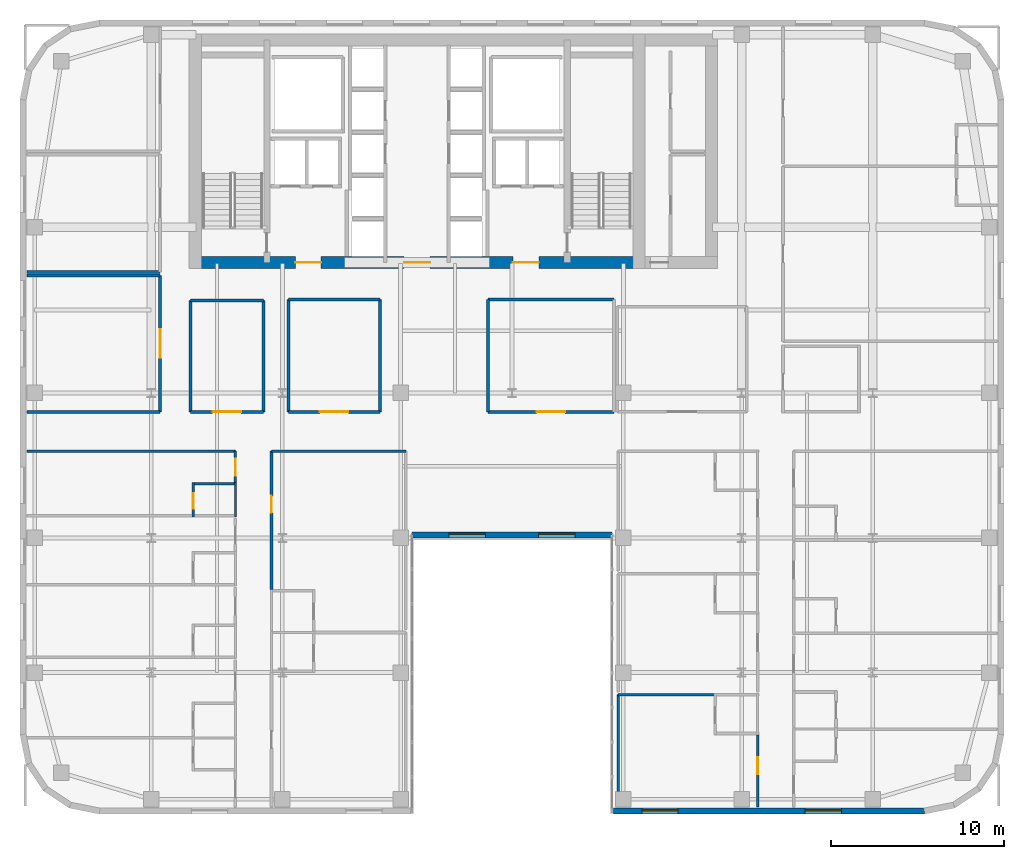
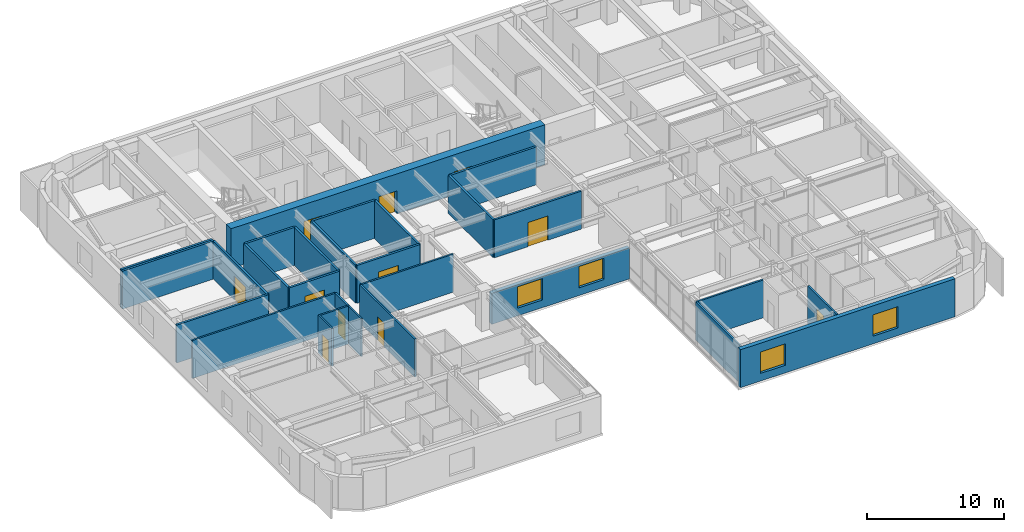
# One storey, part 11 of 17: 28 walls, 11 doors, 4 windows, 15 openings.
"""IFC4 building model written with IfcOpenShell, lengths in metres."""

from ifc_helpers import new_model, si_unit, direction, frame, frame_2d, origin, place, context, subcontext, project, spatial, rectangle, extrude, source, transform, mapped, material, layer, layer_set, type_object, type_shapes, element, fill, save


model = new_model("IFC4")

# Units and contexts
model_context = context("Model", 3, precision=1e-05, world=origin(), true_north=direction((0.0, 1.0)))
body_context = subcontext(model_context, "Body", "Model", "MODEL_VIEW")
ifc_project = project(units=[si_unit("LENGTHUNIT", "METRE"), si_unit("AREAUNIT", "SQUARE_METRE"), si_unit("VOLUMEUNIT", "CUBIC_METRE"), si_unit("PLANEANGLEUNIT", "RADIAN"), si_unit("MASSUNIT", "GRAM", prefix="KILO")], contexts=[model_context])

# Site, building, storey
site_placement = place(None, origin())
site = spatial("IfcSite", under=ifc_project, at=site_placement, CompositionType="ELEMENT")
building_placement = place(site_placement, origin())
building = spatial("IfcBuilding", under=site, at=building_placement, Name="Tolvann Quenvar Hotel", CompositionType="ELEMENT")
storey_placement = place(building_placement, frame((0.0, 0.0, 108.0)))
storey = spatial("IfcBuildingStorey", under=building, at=storey_placement, Name="L27", CompositionType="ELEMENT", Elevation=108.0)

# Wall, openings, doors
ifc_material_1 = material(Name="Concrete S65 (65 MPa)", Category="concrete")
ifc_layer_1 = layer(ifc_material_1, 0.699951171875)
ifc_layer_set_1 = layer_set([ifc_layer_1], Name="Concrete S65 (65 MPa)")
wall_type_1 = type_object("IfcWallType", Name="WALL_CORE_700", PredefinedType="SHEAR", material=ifc_layer_set_1)
wall_1_placement = place(storey_placement, frame((9.800048828125, 31.949951171875, 0.0), z_axis=(0.0, 0.0, 1.0), x_axis=(1.0, 0.0, 0.0)))
wall_1 = element("IfcWall", 1, at=wall_1_placement, inside=storey, type_object=wall_type_1, Name="Rear Core S Shear Wall (L27)", PredefinedType="SHEAR", context=body_context, shape_type="SweptSolid", body=[
    extrude(rectangle(XDim=26.39990234375, YDim=0.699951171875, at=frame_2d((13.199951171875, 0.0))), origin(), (0.0, 0.0, 1.0), 3.550048828125),
])
opening_1_placement = place(wall_1_placement, frame((7.64990234375, 0.0, 0.0), z_axis=(0.0, 0.0, 1.0), x_axis=(-1.0, 0.0, 0.0)))
opening_1 = element("IfcOpeningElement", 2, at=opening_1_placement, cuts=wall_1, Name="Opening FD-60D", PredefinedType="OPENING", context=body_context, shape_type="SweptSolid", body=[
    extrude(rectangle(XDim=1.5, YDim=2.0400390625, at=frame_2d((0.75, 1.02001953125))), frame((0.0, 0.35986328125, 0.0), z_axis=(0.0, -1.0, 0.0), x_axis=(1.0, 0.0, 0.0)), (0.0, 0.0, 1.0), 0.719970703125),
])
opening_2_placement = place(wall_1_placement, frame((13.949951171875, 0.0, 0.0), z_axis=(0.0, 0.0, 1.0), x_axis=(-1.0, 0.0, 0.0)))
opening_2 = element("IfcOpeningElement", 3, at=opening_2_placement, cuts=wall_1, Name="Opening FD-60D", PredefinedType="OPENING", context=body_context, shape_type="SweptSolid", body=[
    extrude(rectangle(XDim=1.5, YDim=2.0400390625, at=frame_2d((0.75, 1.02001953125))), frame((0.0, 0.35986328125, 0.0), z_axis=(0.0, -1.0, 0.0), x_axis=(1.0, 0.0, 0.0)), (0.0, 0.0, 1.0), 0.719970703125),
])
opening_3_placement = place(wall_1_placement, frame((20.25, 0.0, 0.0), z_axis=(0.0, 0.0, 1.0), x_axis=(-1.0, 0.0, 0.0)))
opening_3 = element("IfcOpeningElement", 4, at=opening_3_placement, cuts=wall_1, Name="Opening FD-60D", PredefinedType="OPENING", context=body_context, shape_type="SweptSolid", body=[
    extrude(rectangle(XDim=1.5, YDim=2.0400390625, at=frame_2d((0.75, 1.02001953125))), frame((0.0, 0.35986328125, 0.0), z_axis=(0.0, -1.0, 0.0), x_axis=(1.0, 0.0, 0.0)), (0.0, 0.0, 1.0), 0.719970703125),
])
ifc_material_2 = material(Name="Solid-core American oak acoustic fire door leaf in steel frame", Category="steel")
door_type_1 = type_object("IfcDoorType", Name="DOOR_FIRE_LOBBY_1500", OperationType="NOTDEFINED", PredefinedType="DOOR", material=ifc_material_2)
shared_shape_1 = source(origin(), body_context, "Body", "SweptSolid", [
    extrude(rectangle(XDim=1.5, YDim=2.0400390625, at=frame_2d((0.75, 1.02001953125))), frame((0.0, 0.02490234375, 0.0), z_axis=(0.0, -1.0, 0.0), x_axis=(1.0, 0.0, 0.0)), (0.0, 0.0, 1.0), 0.050048828125),
])
type_shapes(door_type_1, [shared_shape_1])
door_1_placement = place(opening_1_placement, origin())
door_1 = element("IfcDoor", 5, at=door_1_placement, inside=storey, type_object=door_type_1, Name="Core Lobby Fire Door FFW (L27)", OperationType="DOUBLE_DOOR_SINGLE_SWING", OverallHeight=2.0400390625, OverallWidth=1.5, PredefinedType="DOOR", context=body_context, shape_type="MappedRepresentation", body=[
    mapped(shared_shape_1, transform((0.0, 0.0, 0.0), x_axis=(1.0, 0.0, 0.0), y_axis=(0.0, 1.0, 0.0), z_axis=(0.0, 0.0, 1.0), scale=1.0)),
])
fill(opening_1, door_1)
door_2_placement = place(opening_2_placement, origin())
door_2 = element("IfcDoor", 6, at=door_2_placement, inside=storey, type_object=door_type_1, Name="Core Lobby Fire Door CLOB (L27)", OperationType="DOUBLE_DOOR_SINGLE_SWING", OverallHeight=2.0400390625, OverallWidth=1.5, PredefinedType="DOOR", context=body_context, shape_type="MappedRepresentation", body=[
    mapped(shared_shape_1, transform((0.0, 0.0, 0.0), x_axis=(1.0, 0.0, 0.0), y_axis=(0.0, 1.0, 0.0), z_axis=(0.0, 0.0, 1.0), scale=1.0)),
])
fill(opening_2, door_2)
door_3_placement = place(opening_3_placement, origin())
door_3 = element("IfcDoor", 7, at=door_3_placement, inside=storey, type_object=door_type_1, Name="Core Lobby Fire Door FFE (L27)", OperationType="DOUBLE_DOOR_SINGLE_SWING", OverallHeight=2.0400390625, OverallWidth=1.5, PredefinedType="DOOR", context=body_context, shape_type="MappedRepresentation", body=[
    mapped(shared_shape_1, transform((0.0, 0.0, 0.0), x_axis=(1.0, 0.0, 0.0), y_axis=(0.0, 1.0, 0.0), z_axis=(0.0, 0.0, 1.0), scale=1.0)),
])
fill(opening_3, door_3)

# Wall, openings, windows
ifc_material_3 = material(Name="Kiln-fired red and buff architectural clay brickwork and terracotta masonry", Category="masonry")
ifc_layer_2 = layer(ifc_material_3, 0.35009765625)
ifc_layer_set_2 = layer_set([ifc_layer_2], Name="Kiln-fired red and buff architectural clay brickwork and terracotta masonry")
wall_type_2 = type_object("IfcWallType", Name="WALL_EXT_BRICK_350", PredefinedType="SOLIDWALL", material=ifc_layer_set_2)
wall_2_placement = place(storey_placement, frame((22.7099609375, 16.175048828125, 0.0), z_axis=(0.0, 0.0, 1.0), x_axis=(1.0, 0.0, 0.0)))
wall_2 = element("IfcWall", 8, at=wall_2_placement, inside=storey, type_object=wall_type_2, Name="Exterior Chicago Brick Wall L27-E06", PredefinedType="SOLIDWALL", context=body_context, shape_type="SweptSolid", body=[
    extrude(rectangle(XDim=11.580078125, YDim=0.35009765625, at=frame_2d((5.7900390625, 0.0))), origin(), (0.0, 0.0, 1.0), 2.748046875),
])
opening_4_placement = place(wall_2_placement, frame((2.14501953125, 0.0, 0.679931640625)))
opening_4 = element("IfcOpeningElement", 9, at=opening_4_placement, cuts=wall_2, Name="Opening W-02", PredefinedType="OPENING", context=body_context, shape_type="SweptSolid", body=[
    extrude(rectangle(XDim=2.10009765625, YDim=1.89990234375, at=frame_2d((1.050048828125, 0.949951171875))), frame((0.0, 0.18505859375, 0.0), z_axis=(0.0, -1.0, 0.0), x_axis=(1.0, 0.0, 0.0)), (0.0, 0.0, 1.0), 0.3701171875),
])
opening_5_placement = place(wall_2_placement, frame((7.3349609375, 0.0, 0.679931640625)))
opening_5 = element("IfcOpeningElement", 10, at=opening_5_placement, cuts=wall_2, Name="Opening W-02", PredefinedType="OPENING", context=body_context, shape_type="SweptSolid", body=[
    extrude(rectangle(XDim=2.10009765625, YDim=1.89990234375, at=frame_2d((1.050048828125, 0.949951171875))), frame((0.0, 0.18505859375, 0.0), z_axis=(0.0, -1.0, 0.0), x_axis=(1.0, 0.0, 0.0)), (0.0, 0.0, 1.0), 0.3701171875),
])
ifc_material_4 = material(Name="Thermally broken bronze-anodised aluminium frame with double low-E glazing", Category="aluminium")
window_type = type_object("IfcWindowType", Name="WIN_CHI_2100x2050", PartitioningType="TRIPLE_PANEL_HORIZONTAL", PredefinedType="WINDOW", material=ifc_material_4)
shared_shape_2 = source(origin(), body_context, "Body", "SweptSolid", [
    extrude(rectangle(XDim=2.10009765625, YDim=1.89990234375, at=frame_2d((1.050048828125, 0.949951171875))), frame((0.0, 0.090087890625, 0.0), z_axis=(0.0, -1.0, 0.0), x_axis=(1.0, 0.0, 0.0)), (0.0, 0.0, 1.0), 0.06005859375),
])
type_shapes(window_type, [shared_shape_2])
window_1_placement = place(opening_4_placement, origin())
window_1 = element("IfcWindow", 11, at=window_1_placement, inside=storey, type_object=window_type, Name="Chicago Window W-02 (EW-L27-E06-W01)", OverallHeight=1.89990234375, OverallWidth=2.10009765625, PartitioningType="TRIPLE_PANEL_HORIZONTAL", PredefinedType="WINDOW", context=body_context, shape_type="MappedRepresentation", body=[
    mapped(shared_shape_2, transform((0.0, 0.0, 0.0), x_axis=(1.0, 0.0, 0.0), y_axis=(0.0, 1.0, 0.0), z_axis=(0.0, 0.0, 1.0), scale=1.0)),
])
fill(opening_4, window_1)
window_2_placement = place(opening_5_placement, origin())
window_2 = element("IfcWindow", 12, at=window_2_placement, inside=storey, type_object=window_type, Name="Chicago Window W-02 (EW-L27-E06-W02)", OverallHeight=1.89990234375, OverallWidth=2.10009765625, PartitioningType="TRIPLE_PANEL_HORIZONTAL", PredefinedType="WINDOW", context=body_context, shape_type="MappedRepresentation", body=[
    mapped(shared_shape_2, transform((0.0, 0.0, 0.0), x_axis=(1.0, 0.0, 0.0), y_axis=(0.0, 1.0, 0.0), z_axis=(0.0, 0.0, 1.0), scale=1.0)),
])
fill(opening_5, window_2)

wall_3_placement = place(storey_placement, frame((34.375, 0.175048828125, 0.0), z_axis=(0.0, 0.0, 1.0), x_axis=(1.0, 0.0, 0.0)))
wall_3 = element("IfcWall", 13, at=wall_3_placement, inside=storey, type_object=wall_type_2, Name="Exterior Chicago Brick Wall L27-E08", PredefinedType="SOLIDWALL", context=body_context, shape_type="SweptSolid", body=[
    extrude(rectangle(XDim=18.0078125, YDim=0.35009765625, at=frame_2d((9.00390625, 0.0))), origin(), (0.0, 0.0, 1.0), 3.3701171875),
])
opening_6_placement = place(wall_3_placement, frame((1.65087890625, 0.0, 0.679931640625)))
opening_6 = element("IfcOpeningElement", 14, at=opening_6_placement, cuts=wall_3, Name="Opening W-02", PredefinedType="OPENING", context=body_context, shape_type="SweptSolid", body=[
    extrude(rectangle(XDim=2.10009765625, YDim=1.89990234375, at=frame_2d((1.050048828125, 0.949951171875))), frame((0.0, 0.18505859375, 0.0), z_axis=(0.0, -1.0, 0.0), x_axis=(1.0, 0.0, 0.0)), (0.0, 0.0, 1.0), 0.3701171875),
])
opening_7_placement = place(wall_3_placement, frame((11.10498046875, 0.0, 0.679931640625)))
opening_7 = element("IfcOpeningElement", 15, at=opening_7_placement, cuts=wall_3, Name="Opening W-02", PredefinedType="OPENING", context=body_context, shape_type="SweptSolid", body=[
    extrude(rectangle(XDim=2.10009765625, YDim=1.89990234375, at=frame_2d((1.050048828125, 0.949951171875))), frame((0.0, 0.18505859375, 0.0), z_axis=(0.0, -1.0, 0.0), x_axis=(1.0, 0.0, 0.0)), (0.0, 0.0, 1.0), 0.3701171875),
])
window_3_placement = place(opening_6_placement, origin())
window_3 = element("IfcWindow", 16, at=window_3_placement, inside=storey, type_object=window_type, Name="Chicago Window W-02 (EW-L27-E08-W01)", OverallHeight=1.89990234375, OverallWidth=2.10009765625, PartitioningType="TRIPLE_PANEL_HORIZONTAL", PredefinedType="WINDOW", context=body_context, shape_type="MappedRepresentation", body=[
    mapped(shared_shape_2, transform((0.0, 0.0, 0.0), x_axis=(1.0, 0.0, 0.0), y_axis=(0.0, 1.0, 0.0), z_axis=(0.0, 0.0, 1.0), scale=1.0)),
])
fill(opening_6, window_3)
window_4_placement = place(opening_7_placement, origin())
window_4 = element("IfcWindow", 17, at=window_4_placement, inside=storey, type_object=window_type, Name="Chicago Window W-02 (EW-L27-E08-W02)", OverallHeight=1.89990234375, OverallWidth=2.10009765625, PartitioningType="TRIPLE_PANEL_HORIZONTAL", PredefinedType="WINDOW", context=body_context, shape_type="MappedRepresentation", body=[
    mapped(shared_shape_2, transform((0.0, 0.0, 0.0), x_axis=(1.0, 0.0, 0.0), y_axis=(0.0, 1.0, 0.0), z_axis=(0.0, 0.0, 1.0), scale=1.0)),
])
fill(opening_7, window_4)

# Walls
ifc_material_5 = material(Name="Acoustic twin-stud fire-rated gypsum plasterboard partition")
ifc_layer_3 = layer(ifc_material_5, 0.179931640625)
ifc_layer_set_3 = layer_set([ifc_layer_3], Name="Acoustic twin-stud fire-rated gypsum plasterboard partition")
wall_type_3 = type_object("IfcWallType", Name="WALL_PART_ACOUSTIC_180", PredefinedType="PARTITIONING", material=ifc_layer_set_3)
for number, where, z_axis, x_axis, name in (
    (18, (0.405029296875, 23.300048828125, 0.0), (0.0, 0.0, 1.0), (1.0, 0.0, 0.0), "Interior Partition PT-SPC-L27-SAL-S"),
    (19, (0.405029296875, 31.199951171875, 0.0), (0.0, 0.0, 1.0), (1.0, 0.0, 0.0), "Interior Partition PT-SPC-L27-SAL-N"),
):
    element("IfcWall", number, at=place(storey_placement, frame(where, z_axis=z_axis, x_axis=x_axis)), inside=storey, type_object=wall_type_3, Name=name, PredefinedType="PARTITIONING", context=body_context, shape_type="SweptSolid", body=[
        extrude(rectangle(XDim=7.715087890625, YDim=0.179931640625, at=frame_2d((3.857421875, 0.0))), origin(), (0.0, 0.0, 1.0), 3.3701171875),
    ])

# Wall, opening, door
wall_4_placement = place(storey_placement, frame((8.1201171875, 23.300048828125, 0.0), z_axis=(0.0, 0.0, 1.0), x_axis=(0.0, 1.0, 0.0)))
wall_4 = element("IfcWall", 20, at=wall_4_placement, inside=storey, type_object=wall_type_3, Name="Interior Partition PT-SPC-L27-SAL-E", PredefinedType="PARTITIONING", context=body_context, shape_type="SweptSolid", body=[
    extrude(rectangle(XDim=7.89990234375, YDim=0.179931640625, at=frame_2d((3.949951171875, 0.0))), origin(), (0.0, 0.0, 1.0), 3.3701171875),
])
opening_8_placement = place(wall_4_placement, frame((3.125, 0.0, 0.0)))
opening_8 = element("IfcOpeningElement", 21, at=opening_8_placement, cuts=wall_4, Name="Opening AD-01", PredefinedType="OPENING", context=body_context, shape_type="SweptSolid", body=[
    extrude(rectangle(XDim=1.64990234375, YDim=2.14990234375, at=frame_2d((0.824951171875, 1.074951171875))), frame((0.0, 0.10009765625, 0.0), z_axis=(0.0, -1.0, 0.0), x_axis=(1.0, 0.0, 0.0)), (0.0, 0.0, 1.0), 0.199951171875),
])
door_type_2 = type_object("IfcDoorType", Name="DOOR_SALON_1650", OperationType="NOTDEFINED", PredefinedType="DOOR", material=ifc_material_2)
shared_shape_3 = source(origin(), body_context, "Body", "SweptSolid", [
    extrude(rectangle(XDim=1.64990234375, YDim=2.14990234375, at=frame_2d((0.824951171875, 1.074951171875))), frame((0.0, 0.02490234375, 0.0), z_axis=(0.0, -1.0, 0.0), x_axis=(1.0, 0.0, 0.0)), (0.0, 0.0, 1.0), 0.050048828125),
])
type_shapes(door_type_2, [shared_shape_3])
door_4_placement = place(opening_8_placement, origin())
door_4 = element("IfcDoor", 22, at=door_4_placement, inside=storey, type_object=door_type_2, Name="Interior Door DOOR-SPC-L27-SAL", OperationType="DOUBLE_DOOR_SINGLE_SWING", OverallHeight=2.14990234375, OverallWidth=1.64990234375, PredefinedType="DOOR", context=body_context, shape_type="MappedRepresentation", body=[
    mapped(shared_shape_3, transform((0.0, 0.0, 0.0), x_axis=(1.0, 0.0, 0.0), y_axis=(0.0, 1.0, 0.0), z_axis=(0.0, 0.0, 1.0), scale=1.0)),
])
fill(opening_8, door_4)

# Wall
wall_5_placement = place(storey_placement, frame((0.405029296875, 31.39990234375, 0.0), z_axis=(0.0, 0.0, 1.0), x_axis=(1.0, 0.0, 0.0)))
element("IfcWall", 23, at=wall_5_placement, inside=storey, type_object=wall_type_3, Name="Interior Partition PT-SPC-L27-MTG-S", PredefinedType="PARTITIONING", context=body_context, shape_type="SweptSolid", body=[
    extrude(rectangle(XDim=7.715087890625, YDim=0.179931640625, at=frame_2d((3.857421875, 0.0))), origin(), (0.0, 0.0, 1.0), 3.3701171875),
])

# Wall, opening, door
wall_6_placement = place(storey_placement, frame((9.8798828125, 23.300048828125, 0.0), z_axis=(0.0, 0.0, 1.0), x_axis=(1.0, 0.0, 0.0)))
wall_6 = element("IfcWall", 24, at=wall_6_placement, inside=storey, type_object=wall_type_3, Name="Interior Partition PT-SPC-L27-MSP-W-S", PredefinedType="PARTITIONING", context=body_context, shape_type="SweptSolid", body=[
    extrude(rectangle(XDim=4.22021484375, YDim=0.179931640625, at=frame_2d((2.110107421875, 0.0))), origin(), (0.0, 0.0, 1.0), 3.3701171875),
])
opening_9_placement = place(wall_6_placement, frame((1.284912109375, 0.0, 0.0)))
opening_9 = element("IfcOpeningElement", 25, at=opening_9_placement, cuts=wall_6, Name="Opening AD-01", PredefinedType="OPENING", context=body_context, shape_type="SweptSolid", body=[
    extrude(rectangle(XDim=1.64990234375, YDim=2.14990234375, at=frame_2d((0.824951171875, 1.074951171875))), frame((0.0, 0.10009765625, 0.0), z_axis=(0.0, -1.0, 0.0), x_axis=(1.0, 0.0, 0.0)), (0.0, 0.0, 1.0), 0.199951171875),
])
door_5_placement = place(opening_9_placement, origin())
door_5 = element("IfcDoor", 26, at=door_5_placement, inside=storey, type_object=door_type_2, Name="Interior Door DOOR-SPC-L27-MSP-W", OperationType="DOUBLE_DOOR_SINGLE_SWING", OverallHeight=2.14990234375, OverallWidth=1.64990234375, PredefinedType="DOOR", context=body_context, shape_type="MappedRepresentation", body=[
    mapped(shared_shape_3, transform((0.0, 0.0, 0.0), x_axis=(1.0, 0.0, 0.0), y_axis=(0.0, 1.0, 0.0), z_axis=(0.0, 0.0, 1.0), scale=1.0)),
])
fill(opening_9, door_5)

# Walls
wall_7_placement = place(storey_placement, frame((9.8798828125, 29.75, 0.0), z_axis=(0.0, 0.0, 1.0), x_axis=(1.0, 0.0, 0.0)))
element("IfcWall", 27, at=wall_7_placement, inside=storey, type_object=wall_type_3, Name="Interior Partition PT-SPC-L27-MSP-W-N", PredefinedType="PARTITIONING", context=body_context, shape_type="SweptSolid", body=[
    extrude(rectangle(XDim=4.22021484375, YDim=0.179931640625, at=frame_2d((2.110107421875, 0.0))), origin(), (0.0, 0.0, 1.0), 3.3701171875),
])
for number, where, z_axis, x_axis, name in (
    (28, (9.8798828125, 23.300048828125, 0.0), (0.0, 0.0, 1.0), (0.0, 1.0, 0.0), "Interior Partition PT-SPC-L27-MSP-W-W"),
    (29, (14.10009765625, 23.300048828125, 0.0), (0.0, 0.0, 1.0), (0.0, 1.0, 0.0), "Interior Partition PT-SPC-L27-MSP-W-E"),
):
    element("IfcWall", number, at=place(storey_placement, frame(where, z_axis=z_axis, x_axis=x_axis)), inside=storey, type_object=wall_type_3, Name=name, PredefinedType="PARTITIONING", context=body_context, shape_type="SweptSolid", body=[
        extrude(rectangle(XDim=6.449951171875, YDim=0.179931640625, at=frame_2d((3.22509765625, 0.0))), origin(), (0.0, 0.0, 1.0), 3.3701171875),
    ])

# Wall, opening, door
wall_8_placement = place(storey_placement, frame((27.10009765625, 23.300048828125, 0.0), z_axis=(0.0, 0.0, 1.0), x_axis=(1.0, 0.0, 0.0)))
wall_8 = element("IfcWall", 30, at=wall_8_placement, inside=storey, type_object=wall_type_3, Name="Interior Partition PT-SPC-L27-MSP-C-S", PredefinedType="PARTITIONING", context=body_context, shape_type="SweptSolid", body=[
    extrude(rectangle(XDim=7.2998046875, YDim=0.179931640625, at=frame_2d((3.64990234375, 0.0))), origin(), (0.0, 0.0, 1.0), 3.3701171875),
])
opening_10_placement = place(wall_8_placement, frame((2.824951171875, 0.0, 0.0)))
opening_10 = element("IfcOpeningElement", 31, at=opening_10_placement, cuts=wall_8, Name="Opening AD-01", PredefinedType="OPENING", context=body_context, shape_type="SweptSolid", body=[
    extrude(rectangle(XDim=1.64990234375, YDim=2.14990234375, at=frame_2d((0.824951171875, 1.074951171875))), frame((0.0, 0.10009765625, 0.0), z_axis=(0.0, -1.0, 0.0), x_axis=(1.0, 0.0, 0.0)), (0.0, 0.0, 1.0), 0.199951171875),
])
door_6_placement = place(opening_10_placement, origin())
door_6 = element("IfcDoor", 32, at=door_6_placement, inside=storey, type_object=door_type_2, Name="Interior Door DOOR-SPC-L27-MSP-C", OperationType="DOUBLE_DOOR_SINGLE_SWING", OverallHeight=2.14990234375, OverallWidth=1.64990234375, PredefinedType="DOOR", context=body_context, shape_type="MappedRepresentation", body=[
    mapped(shared_shape_3, transform((0.0, 0.0, 0.0), x_axis=(1.0, 0.0, 0.0), y_axis=(0.0, 1.0, 0.0), z_axis=(0.0, 0.0, 1.0), scale=1.0)),
])
fill(opening_10, door_6)

# Walls
wall_9_placement = place(storey_placement, frame((27.10009765625, 29.800048828125, 0.0), z_axis=(0.0, 0.0, 1.0), x_axis=(1.0, 0.0, 0.0)))
element("IfcWall", 33, at=wall_9_placement, inside=storey, type_object=wall_type_3, Name="Interior Partition PT-SPC-L27-MSP-C-N", PredefinedType="PARTITIONING", context=body_context, shape_type="SweptSolid", body=[
    extrude(rectangle(XDim=7.2998046875, YDim=0.179931640625, at=frame_2d((3.64990234375, 0.0))), origin(), (0.0, 0.0, 1.0), 3.3701171875),
])
wall_10_placement = place(storey_placement, frame((27.10009765625, 23.300048828125, 0.0), z_axis=(0.0, 0.0, 1.0), x_axis=(0.0, 1.0, 0.0)))
element("IfcWall", 34, at=wall_10_placement, inside=storey, type_object=wall_type_3, Name="Interior Partition PT-SPC-L27-MSP-C-W", PredefinedType="PARTITIONING", context=body_context, shape_type="SweptSolid", body=[
    extrude(rectangle(XDim=6.5, YDim=0.179931640625, at=frame_2d((3.25, 0.0))), origin(), (0.0, 0.0, 1.0), 3.3701171875),
])

# Wall, opening, door
wall_11_placement = place(storey_placement, frame((15.550048828125, 23.300048828125, 0.0), z_axis=(0.0, 0.0, 1.0), x_axis=(1.0, 0.0, 0.0)))
wall_11 = element("IfcWall", 35, at=wall_11_placement, inside=storey, type_object=wall_type_3, Name="Interior Partition PT-SPC-L27-MSP-N-S", PredefinedType="PARTITIONING", context=body_context, shape_type="SweptSolid", body=[
    extrude(rectangle(XDim=5.300048828125, YDim=0.179931640625, at=frame_2d((2.64990234375, 0.0))), origin(), (0.0, 0.0, 1.0), 3.3701171875),
])
opening_11_placement = place(wall_11_placement, frame((1.824951171875, 0.0, 0.0)))
opening_11 = element("IfcOpeningElement", 36, at=opening_11_placement, cuts=wall_11, Name="Opening AD-01", PredefinedType="OPENING", context=body_context, shape_type="SweptSolid", body=[
    extrude(rectangle(XDim=1.64990234375, YDim=2.14990234375, at=frame_2d((0.824951171875, 1.074951171875))), frame((0.0, 0.10009765625, 0.0), z_axis=(0.0, -1.0, 0.0), x_axis=(1.0, 0.0, 0.0)), (0.0, 0.0, 1.0), 0.199951171875),
])
door_7_placement = place(opening_11_placement, origin())
door_7 = element("IfcDoor", 37, at=door_7_placement, inside=storey, type_object=door_type_2, Name="Interior Door DOOR-SPC-L27-MSP-N", OperationType="DOUBLE_DOOR_SINGLE_SWING", OverallHeight=2.14990234375, OverallWidth=1.64990234375, PredefinedType="DOOR", context=body_context, shape_type="MappedRepresentation", body=[
    mapped(shared_shape_3, transform((0.0, 0.0, 0.0), x_axis=(1.0, 0.0, 0.0), y_axis=(0.0, 1.0, 0.0), z_axis=(0.0, 0.0, 1.0), scale=1.0)),
])
fill(opening_11, door_7)

# Walls
wall_12_placement = place(storey_placement, frame((15.550048828125, 29.800048828125, 0.0), z_axis=(0.0, 0.0, 1.0), x_axis=(1.0, 0.0, 0.0)))
element("IfcWall", 38, at=wall_12_placement, inside=storey, type_object=wall_type_3, Name="Interior Partition PT-SPC-L27-MSP-N-N", PredefinedType="PARTITIONING", context=body_context, shape_type="SweptSolid", body=[
    extrude(rectangle(XDim=5.300048828125, YDim=0.179931640625, at=frame_2d((2.64990234375, 0.0))), origin(), (0.0, 0.0, 1.0), 3.3701171875),
])
for number, where, z_axis, x_axis, name in (
    (39, (15.550048828125, 23.300048828125, 0.0), (0.0, 0.0, 1.0), (0.0, 1.0, 0.0), "Interior Partition PT-SPC-L27-MSP-N-W"),
    (40, (20.85009765625, 23.300048828125, 0.0), (0.0, 0.0, 1.0), (0.0, 1.0, 0.0), "Interior Partition PT-SPC-L27-MSP-N-E"),
):
    element("IfcWall", number, at=place(storey_placement, frame(where, z_axis=z_axis, x_axis=x_axis)), inside=storey, type_object=wall_type_3, Name=name, PredefinedType="PARTITIONING", context=body_context, shape_type="SweptSolid", body=[
        extrude(rectangle(XDim=6.5, YDim=0.179931640625, at=frame_2d((3.25, 0.0))), origin(), (0.0, 0.0, 1.0), 3.3701171875),
    ])
ifc_material_6 = material(Name="Moisture-resistant acoustic plumbing wall assembly")
ifc_layer_4 = layer(ifc_material_6, 0.1201171875)
ifc_layer_set_4 = layer_set([ifc_layer_4], Name="Moisture-resistant acoustic plumbing wall assembly")
wall_type_4 = type_object("IfcWallType", Name="WALL_PART_BATH_120", PredefinedType="PLUMBINGWALL", material=ifc_layer_set_4)
wall_13_placement = place(storey_placement, frame((12.47998046875, 17.2099609375, 0.0), z_axis=(0.0, 0.0, 1.0), x_axis=(0.0, 1.0, 0.0)))
element("IfcWall", 41, at=wall_13_placement, inside=storey, type_object=wall_type_4, Name="Non-Rated Plumbing Partition PT-SPC-L27-ENS-WO05-E", PredefinedType="PLUMBINGWALL", context=body_context, shape_type="SweptSolid", body=[
    extrude(rectangle(XDim=1.989990234375, YDim=0.1201171875, at=frame_2d((0.9951171875, 0.0))), origin(), (0.0, 0.0, 1.0), 3.3701171875),
])

# Wall, opening, door
ifc_layer_5 = layer(ifc_material_5, 0.14990234375)
ifc_layer_set_5 = layer_set([ifc_layer_5], Name="Acoustic twin-stud fire-rated gypsum plasterboard partition")
wall_type_5 = type_object("IfcWallType", Name="WALL_PART_SUITE_150", PredefinedType="PARTITIONING", material=ifc_layer_set_5)
wall_14_placement = place(storey_placement, frame((10.030029296875, 17.2099609375, 0.0), z_axis=(0.0, 0.0, 1.0), x_axis=(0.0, 1.0, 0.0)))
wall_14 = element("IfcWall", 42, at=wall_14_placement, inside=storey, type_object=wall_type_5, Name="Interior Partition PT-SPC-L27-ENS-WO05-ENT", PredefinedType="PARTITIONING", context=body_context, shape_type="SweptSolid", body=[
    extrude(rectangle(XDim=1.989990234375, YDim=0.14990234375, at=frame_2d((0.9951171875, 0.0))), origin(), (0.0, 0.0, 1.0), 3.3701171875),
])
opening_12_placement = place(wall_14_placement, frame((0.465087890625, 0.0, 0.0)))
opening_12 = element("IfcOpeningElement", 43, at=opening_12_placement, cuts=wall_14, Name="Opening WD-01", PredefinedType="OPENING", context=body_context, shape_type="SweptSolid", body=[
    extrude(rectangle(XDim=0.919921875, YDim=2.010009765625, at=frame_2d((0.4599609375, 1.0048828125))), frame((0.0, 0.0849609375, 0.0), z_axis=(0.0, -1.0, 0.0), x_axis=(1.0, 0.0, 0.0)), (0.0, 0.0, 1.0), 0.169921875),
])
door_type_3 = type_object("IfcDoorType", Name="DOOR_WC_920", OperationType="NOTDEFINED", PredefinedType="DOOR", material=ifc_material_2)
shared_shape_4 = source(origin(), body_context, "Body", "SweptSolid", [
    extrude(rectangle(XDim=0.919921875, YDim=2.010009765625, at=frame_2d((0.4599609375, 1.0048828125))), frame((0.0, 0.02490234375, 0.0), z_axis=(0.0, -1.0, 0.0), x_axis=(1.0, 0.0, 0.0)), (0.0, 0.0, 1.0), 0.050048828125),
])
type_shapes(door_type_3, [shared_shape_4])
door_8_placement = place(opening_12_placement, origin())
door_8 = element("IfcDoor", 44, at=door_8_placement, inside=storey, type_object=door_type_3, Name="Interior Door DOOR-SPC-L27-ENS-WO05", OperationType="SINGLE_SWING_RIGHT", OverallHeight=2.010009765625, OverallWidth=0.919921875, PredefinedType="DOOR", context=body_context, shape_type="MappedRepresentation", body=[
    mapped(shared_shape_4, transform((0.0, 0.0, 0.0), x_axis=(1.0, 0.0, 0.0), y_axis=(0.0, 1.0, 0.0), z_axis=(0.0, 0.0, 1.0), scale=1.0)),
])
fill(opening_12, door_8)

# Wall
wall_15_placement = place(storey_placement, frame((9.9599609375, 19.1298828125, 0.0), z_axis=(0.0, 0.0, 1.0), x_axis=(1.0, 0.0, 0.0)))
element("IfcWall", 45, at=wall_15_placement, inside=storey, type_object=wall_type_5, Name="Interior Partition PT-SPC-L27-ENS-WO05-N", PredefinedType="PARTITIONING", context=body_context, shape_type="SweptSolid", body=[
    extrude(rectangle(XDim=2.590087890625, YDim=0.14990234375, at=frame_2d((1.294921875, 0.0))), origin(), (0.0, 0.0, 1.0), 3.3701171875),
])

# Wall, opening, door
wall_16_placement = place(storey_placement, frame((12.47998046875, 19.2099609375, 0.0), z_axis=(0.0, 0.0, 1.0), x_axis=(0.0, 1.0, 0.0)))
wall_16 = element("IfcWall", 46, at=wall_16_placement, inside=storey, type_object=wall_type_5, Name="Interior Partition PT-SPC-L27-RM-WO05-ENT", PredefinedType="PARTITIONING", context=body_context, shape_type="SweptSolid", body=[
    extrude(rectangle(XDim=1.81005859375, YDim=0.14990234375, at=frame_2d((0.905029296875, 0.0))), origin(), (0.0, 0.0, 1.0), 3.3701171875),
])
opening_13_placement = place(wall_16_placement, frame((0.39501953125, 0.0, 0.0)))
opening_13 = element("IfcOpeningElement", 47, at=opening_13_placement, cuts=wall_16, Name="Opening SD-01", PredefinedType="OPENING", context=body_context, shape_type="SweptSolid", body=[
    extrude(rectangle(XDim=0.97998046875, YDim=2.1201171875, at=frame_2d((0.489990234375, 1.06005859375))), frame((0.0, 0.0849609375, 0.0), z_axis=(0.0, -1.0, 0.0), x_axis=(1.0, 0.0, 0.0)), (0.0, 0.0, 1.0), 0.169921875),
])
door_type_4 = type_object("IfcDoorType", Name="DOOR_SUITE_980", OperationType="NOTDEFINED", PredefinedType="DOOR", material=ifc_material_2)
shared_shape_5 = source(origin(), body_context, "Body", "SweptSolid", [
    extrude(rectangle(XDim=0.97998046875, YDim=2.1201171875, at=frame_2d((0.489990234375, 1.06005859375))), frame((0.0, 0.02490234375, 0.0), z_axis=(0.0, -1.0, 0.0), x_axis=(1.0, 0.0, 0.0)), (0.0, 0.0, 1.0), 0.050048828125),
])
type_shapes(door_type_4, [shared_shape_5])
door_9_placement = place(opening_13_placement, origin())
door_9 = element("IfcDoor", 48, at=door_9_placement, inside=storey, type_object=door_type_4, Name="Interior Door DOOR-SPC-L27-RM-WO05", OperationType="SINGLE_SWING_RIGHT", OverallHeight=2.1201171875, OverallWidth=0.97998046875, PredefinedType="DOOR", context=body_context, shape_type="MappedRepresentation", body=[
    mapped(shared_shape_5, transform((0.0, 0.0, 0.0), x_axis=(1.0, 0.0, 0.0), y_axis=(0.0, 1.0, 0.0), z_axis=(0.0, 0.0, 1.0), scale=1.0)),
])
fill(opening_13, door_9)

# Wall
wall_17_placement = place(storey_placement, frame((0.405029296875, 21.02001953125, 0.0), z_axis=(0.0, 0.0, 1.0), x_axis=(1.0, 0.0, 0.0)))
element("IfcWall", 49, at=wall_17_placement, inside=storey, type_object=wall_type_5, Name="Interior Partition PT-SPC-L27-RM-WO05-E5", PredefinedType="PARTITIONING", context=body_context, shape_type="SweptSolid", body=[
    extrude(rectangle(XDim=12.074951171875, YDim=0.14990234375, at=frame_2d((6.03759765625, 0.0))), origin(), (0.0, 0.0, 1.0), 3.3701171875),
])

# Wall, opening, door
wall_18_placement = place(storey_placement, frame((14.570068359375, 13.010009765625, 0.0), z_axis=(0.0, 0.0, 1.0), x_axis=(0.0, 1.0, 0.0)))
wall_18 = element("IfcWall", 50, at=wall_18_placement, inside=storey, type_object=wall_type_5, Name="Interior Partition PT-SPC-L27-RM-WI02-ENT", PredefinedType="PARTITIONING", context=body_context, shape_type="SweptSolid", body=[
    extrude(rectangle(XDim=8.010009765625, YDim=0.14990234375, at=frame_2d((4.0048828125, 0.0))), origin(), (0.0, 0.0, 1.0), 3.3701171875),
])
opening_14_placement = place(wall_18_placement, frame((4.445068359375, 0.0, 0.0)))
opening_14 = element("IfcOpeningElement", 51, at=opening_14_placement, cuts=wall_18, Name="Opening SD-01", PredefinedType="OPENING", context=body_context, shape_type="SweptSolid", body=[
    extrude(rectangle(XDim=0.97998046875, YDim=2.1201171875, at=frame_2d((0.489990234375, 1.06005859375))), frame((0.0, 0.0849609375, 0.0), z_axis=(0.0, -1.0, 0.0), x_axis=(1.0, 0.0, 0.0)), (0.0, 0.0, 1.0), 0.169921875),
])
door_10_placement = place(opening_14_placement, origin())
door_10 = element("IfcDoor", 52, at=door_10_placement, inside=storey, type_object=door_type_4, Name="Interior Door DOOR-SPC-L27-RM-WI02", OperationType="SINGLE_SWING_RIGHT", OverallHeight=2.1201171875, OverallWidth=0.97998046875, PredefinedType="DOOR", context=body_context, shape_type="MappedRepresentation", body=[
    mapped(shared_shape_5, transform((0.0, 0.0, 0.0), x_axis=(1.0, 0.0, 0.0), y_axis=(0.0, 1.0, 0.0), z_axis=(0.0, 0.0, 1.0), scale=1.0)),
])
fill(opening_14, door_10)

# Wall
wall_19_placement = place(storey_placement, frame((14.570068359375, 21.02001953125, 0.0), z_axis=(0.0, 0.0, 1.0), x_axis=(1.0, 0.0, 0.0)))
element("IfcWall", 53, at=wall_19_placement, inside=storey, type_object=wall_type_5, Name="Interior Partition PT-SPC-L27-RM-WI02-E5", PredefinedType="PARTITIONING", context=body_context, shape_type="SweptSolid", body=[
    extrude(rectangle(XDim=7.780029296875, YDim=0.14990234375, at=frame_2d((3.89013671875, 0.0))), origin(), (0.0, 0.0, 1.0), 3.3701171875),
])

# Wall, opening, door
wall_20_placement = place(storey_placement, frame((42.72998046875, 0.405029296875, 0.0), z_axis=(0.0, 0.0, 1.0), x_axis=(0.0, 1.0, 0.0)))
wall_20 = element("IfcWall", 54, at=wall_20_placement, inside=storey, type_object=wall_type_5, Name="Interior Partition PT-SPC-L27-RM-EI01-ENT", PredefinedType="PARTITIONING", context=body_context, shape_type="SweptSolid", body=[
    extrude(rectangle(XDim=4.18505859375, YDim=0.14990234375, at=frame_2d((2.092529296875, 0.0))), origin(), (0.0, 0.0, 1.0), 3.3701171875),
])
opening_15_placement = place(wall_20_placement, frame((1.909912109375, 0.0, 0.0)))
opening_15 = element("IfcOpeningElement", 55, at=opening_15_placement, cuts=wall_20, Name="Opening SD-01", PredefinedType="OPENING", context=body_context, shape_type="SweptSolid", body=[
    extrude(rectangle(XDim=0.97998046875, YDim=2.1201171875, at=frame_2d((0.489990234375, 1.06005859375))), frame((0.0, 0.0849609375, 0.0), z_axis=(0.0, -1.0, 0.0), x_axis=(1.0, 0.0, 0.0)), (0.0, 0.0, 1.0), 0.169921875),
])
door_11_placement = place(opening_15_placement, origin())
door_11 = element("IfcDoor", 56, at=door_11_placement, inside=storey, type_object=door_type_4, Name="Interior Door DOOR-SPC-L27-RM-EI01", OperationType="SINGLE_SWING_LEFT", OverallHeight=2.1201171875, OverallWidth=0.97998046875, PredefinedType="DOOR", context=body_context, shape_type="MappedRepresentation", body=[
    mapped(shared_shape_5, transform((0.0, 0.0, 0.0), x_axis=(1.0, 0.0, 0.0), y_axis=(0.0, 1.0, 0.0), z_axis=(0.0, 0.0, 1.0), scale=1.0)),
])
fill(opening_15, door_11)

# Walls
wall_21_placement = place(storey_placement, frame((34.64990234375, 6.919921875, 0.0), z_axis=(0.0, 0.0, 1.0), x_axis=(1.0, 0.0, 0.0)))
element("IfcWall", 57, at=wall_21_placement, inside=storey, type_object=wall_type_5, Name="Interior Partition PT-SPC-L27-RM-EI01-E5", PredefinedType="PARTITIONING", context=body_context, shape_type="SweptSolid", body=[
    extrude(rectangle(XDim=5.610107421875, YDim=0.14990234375, at=frame_2d((2.80517578125, 0.0))), origin(), (0.0, 0.0, 1.0), 3.3701171875),
])
wall_22_placement = place(storey_placement, frame((34.64990234375, 0.405029296875, 0.0), z_axis=(0.0, 0.0, 1.0), x_axis=(0.0, 1.0, 0.0)))
element("IfcWall", 58, at=wall_22_placement, inside=storey, type_object=wall_type_5, Name="Interior Partition PT-SPC-L27-RM-EI01-E6", PredefinedType="PARTITIONING", context=body_context, shape_type="SweptSolid", body=[
    extrude(rectangle(XDim=6.514892578125, YDim=0.14990234375, at=frame_2d((3.25732421875, 0.0))), origin(), (0.0, 0.0, 1.0), 3.3701171875),
])

save(model, "model.ifc")
